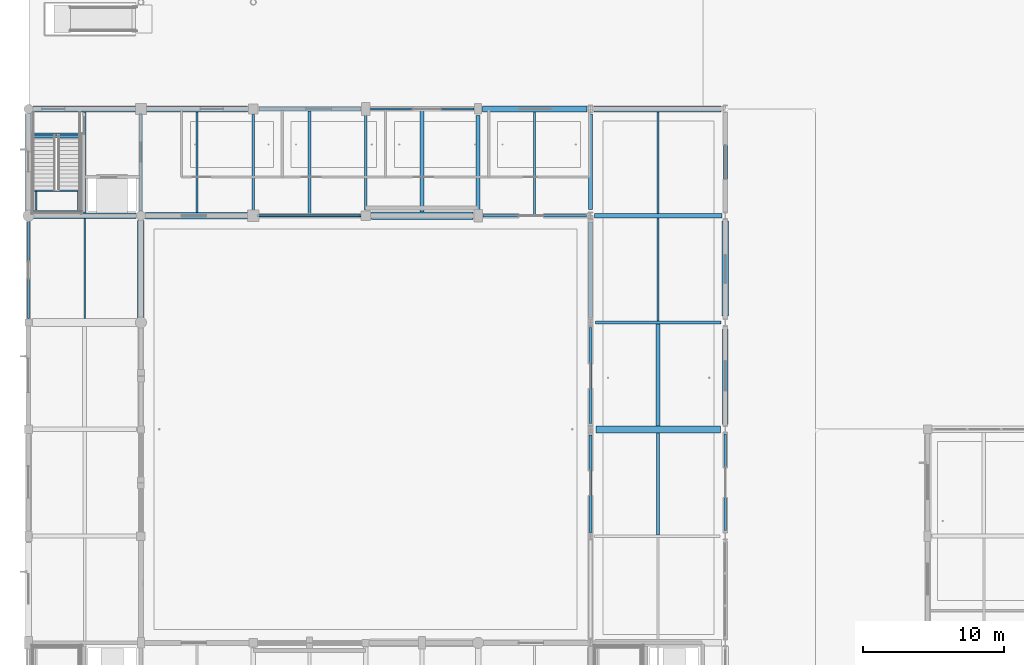
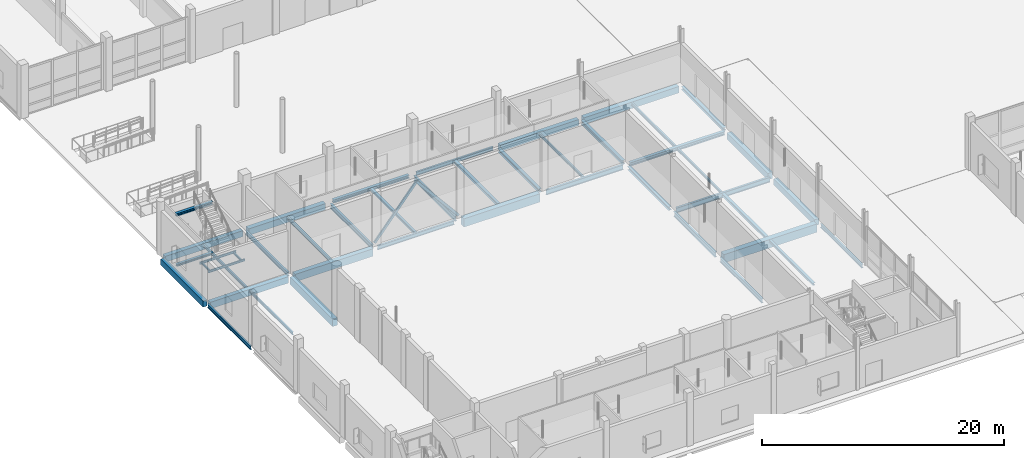
# One storey, part 13 of 126: 45 beams, 2 members.
"""IFC4 building model written with IfcOpenShell, lengths in metres."""

from ifc_helpers import new_model, si_unit, direction, frame, origin, origin_2d, place, context, subcontext, project, spatial, rectangle, hollow_rectangle, i_section, extrude, material, material_profile, profile_set, type_object, element, save


model = new_model("IFC4")

# Units and contexts
model_context = context("Model", 3, precision=1e-05, world=origin(), true_north=direction((0.0, 1.0)))
body_context = subcontext(model_context, "Body", "Model", "MODEL_VIEW")
ifc_project = project(units=[si_unit("LENGTHUNIT", "METRE"), si_unit("AREAUNIT", "SQUARE_METRE"), si_unit("VOLUMEUNIT", "CUBIC_METRE"), si_unit("PLANEANGLEUNIT", "RADIAN"), si_unit("MASSUNIT", "GRAM", prefix="KILO")], contexts=[model_context])

# Site, building, storey
site_placement = place(None, origin())
site = spatial("IfcSite", under=ifc_project, at=site_placement, CompositionType="ELEMENT")
building_placement = place(site_placement, origin())
building = spatial("IfcBuilding", under=site, at=building_placement, Name="Khelvaren Railside Concert Hall", CompositionType="ELEMENT")
storey_placement = place(building_placement, origin())
storey = spatial("IfcBuildingStorey", under=building, at=storey_placement, Name="L00", CompositionType="ELEMENT", Elevation=0.0)

# Beams
ifc_material_1 = material(Name="Steel S355", Category="steel")
ifc_material_profile_1 = material_profile(ifc_material_1, i_section(OverallWidth=0.300048828125, OverallDepth=0.389892578125, WebThickness=0.010986328125, FlangeThickness=0.01904296875, FilletRadius=0.027099609375, at=origin_2d()), Name="HEA 400")
ifc_profile_set_1 = profile_set([ifc_material_profile_1], Name="Steel S355")
beam_type_1 = type_object("IfcBeamType", Name="BM23", PredefinedType="BEAM", material=ifc_profile_set_1)
beam_1_placement = place(storey_placement, frame((40.0, 38.449951171875, -0.514892578125), z_axis=(0.0, 1.0, 0.0), x_axis=(-1.0, 0.0, 0.0)))
element("IfcBeam", 1, at=beam_1_placement, inside=storey, type_object=beam_type_1, Name="V1 L00 Beam Y6.6", PredefinedType="BEAM", context=body_context, shape_type="SweptSolid", body=[
    extrude(i_section(OverallWidth=0.300048828125, OverallDepth=0.389892578125, WebThickness=0.010986328125, FlangeThickness=0.01904296875, FilletRadius=0.027099609375, at=origin_2d()), origin(), (0.0, 0.0, 1.0), 6.775146484375),
])
ifc_material_profile_2 = material_profile(ifc_material_1, i_section(OverallWidth=0.179931640625, OverallDepth=0.39990234375, WebThickness=0.008544921875, FlangeThickness=0.013427734375, FilletRadius=0.02099609375, at=origin_2d()), Name="IPE 400")
ifc_profile_set_2 = profile_set([ifc_material_profile_2], Name="Steel S355")
beam_type_2 = type_object("IfcBeamType", Name="BM29", PredefinedType="BEAM", material=ifc_profile_set_2)
beam_2_placement = place(storey_placement, frame((16.27294921875, 38.0, -0.52001953125), z_axis=(1.0, 0.0, 0.0), x_axis=(0.0, 1.0, 0.0)))
element("IfcBeam", 2, at=beam_2_placement, inside=storey, type_object=beam_type_2, Name="V1 L00 Beam X6.3", PredefinedType="BEAM", context=body_context, shape_type="SweptSolid", body=[
    extrude(i_section(OverallWidth=0.179931640625, OverallDepth=0.39990234375, WebThickness=0.008544921875, FlangeThickness=0.013427734375, FilletRadius=0.02099609375, at=origin_2d()), origin(), (0.0, 0.0, 1.0), 7.3271484375),
])
beam_3_placement = place(storey_placement, frame((8.0, 38.3359375, -0.52001953125), z_axis=(0.0, 1.0, 0.0), x_axis=(-1.0, 0.0, 0.0)))
element("IfcBeam", 3, at=beam_3_placement, inside=storey, type_object=beam_type_2, Name="V1 L00 Beam Y2.6", PredefinedType="BEAM", context=body_context, shape_type="SweptSolid", body=[
    extrude(i_section(OverallWidth=0.179931640625, OverallDepth=0.39990234375, WebThickness=0.008544921875, FlangeThickness=0.013427734375, FilletRadius=0.02099609375, at=origin_2d()), origin(), (0.0, 0.0, 1.0), 6.990966796875),
])
ifc_material_2 = material(Name="Concrete C40/50", Category="concrete")
ifc_material_profile_3 = material_profile(ifc_material_2, rectangle(XDim=0.39990234375, YDim=0.64990234375, at=origin_2d()), Name="RCB 400x650")
ifc_profile_set_3 = profile_set([ifc_material_profile_3], Name="Concrete C40/50")
beam_type_3 = type_object("IfcBeamType", Name="BM33", PredefinedType="BEAM", material=ifc_profile_set_3)
beam_4_placement = place(storey_placement, frame((0.25, 38.0, -0.64501953125), z_axis=(1.0, 0.0, 0.0), x_axis=(0.0, 1.0, 0.0)))
element("IfcBeam", 4, at=beam_4_placement, inside=storey, type_object=beam_type_3, Name="V1 L00 Beam X6.1", PredefinedType="BEAM", context=body_context, shape_type="SweptSolid", body=[
    extrude(rectangle(XDim=0.39990234375, YDim=0.64990234375, at=origin_2d()), origin(), (0.0, 0.0, 1.0), 7.4140625),
])
ifc_material_profile_4 = material_profile(ifc_material_1, i_section(OverallWidth=0.239990234375, OverallDepth=0.22998046875, WebThickness=0.007568359375, FlangeThickness=0.011962890625, FilletRadius=0.02099609375, at=origin_2d()), Name="HEA 240")
ifc_profile_set_4 = profile_set([ifc_material_profile_4], Name="Steel S355")
beam_type_4 = type_object("IfcBeamType", Name="BM42", PredefinedType="BEAM", material=ifc_profile_set_4)
beam_5_placement = place(storey_placement, frame((0.344970703125, 43.63916015625, -0.114990234375), z_axis=(1.0, 0.0, 0.0), x_axis=(0.0, 1.0, 0.0)))
element("IfcBeam", 5, at=beam_5_placement, inside=storey, type_object=beam_type_4, Name="ST-11 L00 Stair Foot Trimmer Beam", PredefinedType="BEAM", context=body_context, shape_type="SweptSolid", body=[
    extrude(i_section(OverallWidth=0.239990234375, OverallDepth=0.22998046875, WebThickness=0.007568359375, FlangeThickness=0.011962890625, FilletRadius=0.02099609375, at=origin_2d()), origin(), (0.0, 0.0, 1.0), 3.4951171875),
])
ifc_material_profile_5 = material_profile(ifc_material_1, i_section(OverallWidth=0.199951171875, OverallDepth=0.5, WebThickness=0.01025390625, FlangeThickness=0.01611328125, FilletRadius=0.02099609375, at=origin_2d()), Name="IPE 500")
ifc_profile_set_5 = profile_set([ifc_material_profile_5], Name="Steel S355")
beam_type_5 = type_object("IfcBeamType", Name="BM62", PredefinedType="BEAM", material=ifc_profile_set_5)
beam_6_placement = place(storey_placement, frame((40.35009765625, 30.39990234375, -0.570068359375), z_axis=(1.0, 0.0, 0.0), x_axis=(0.0, 1.0, 0.0)))
element("IfcBeam", 6, at=beam_6_placement, inside=storey, type_object=beam_type_5, Name="V1 L00 Beam X5.6", PredefinedType="BEAM", context=body_context, shape_type="SweptSolid", body=[
    extrude(i_section(OverallWidth=0.199951171875, OverallDepth=0.5, WebThickness=0.01025390625, FlangeThickness=0.01611328125, FilletRadius=0.02099609375, at=origin_2d()), origin(), (0.0, 0.0, 1.0), 8.949951171875),
])
beam_7_placement = place(storey_placement, frame((32.35009765625, 38.0, -0.570068359375), z_axis=(1.0, 0.0, 0.0), x_axis=(0.0, 1.0, 0.0)))
element("IfcBeam", 7, at=beam_7_placement, inside=storey, type_object=beam_type_5, Name="V1 L00 Beam X6.5", PredefinedType="BEAM", context=body_context, shape_type="SweptSolid", body=[
    extrude(i_section(OverallWidth=0.199951171875, OverallDepth=0.5, WebThickness=0.01025390625, FlangeThickness=0.01611328125, FilletRadius=0.02099609375, at=origin_2d()), origin(), (0.0, 0.0, 1.0), 7.349853515625),
])
for number, where, z_axis, x_axis, name in (
    (8, (24.0, 38.39990234375, -0.570068359375), (0.0, 1.0, 0.0), (-1.0, 0.0, 0.0), "V1 L00 Beam Y4.6"),
    (9, (40.0, 23.199951171875, -0.570068359375), (0.0, 1.0, 0.0), (-1.0, 0.0, 0.0), "V1 L00 Beam Y6.4"),
):
    element("IfcBeam", number, at=place(storey_placement, frame(where, z_axis=z_axis, x_axis=x_axis)), inside=storey, type_object=beam_type_5, Name=name, PredefinedType="BEAM", context=body_context, shape_type="SweptSolid", body=[
        extrude(i_section(OverallWidth=0.199951171875, OverallDepth=0.5, WebThickness=0.01025390625, FlangeThickness=0.01611328125, FilletRadius=0.02099609375, at=origin_2d()), origin(), (0.0, 0.0, 1.0), 6.85009765625),
    ])
ifc_material_profile_6 = material_profile(ifc_material_1, i_section(OverallWidth=0.300048828125, OverallDepth=0.35009765625, WebThickness=0.010009765625, FlangeThickness=0.017578125, FilletRadius=0.027099609375, at=origin_2d()), Name="HEA 360")
ifc_profile_set_6 = profile_set([ifc_material_profile_6], Name="Steel S355")
beam_type_6 = type_object("IfcBeamType", Name="BM73", PredefinedType="BEAM", material=ifc_profile_set_6)
beam_8_placement = place(storey_placement, frame((40.300048828125, 38.0, -0.4951171875), z_axis=(1.0, 0.0, 0.0), x_axis=(0.0, 1.0, 0.0)))
element("IfcBeam", 10, at=beam_8_placement, inside=storey, type_object=beam_type_6, Name="V1 L00 Beam X6.6", PredefinedType="BEAM", context=body_context, shape_type="SweptSolid", body=[
    extrude(i_section(OverallWidth=0.300048828125, OverallDepth=0.35009765625, WebThickness=0.010009765625, FlangeThickness=0.017578125, FilletRadius=0.027099609375, at=origin_2d()), origin(), (0.0, 0.0, 1.0), 9.050048828125),
])
beam_9_placement = place(storey_placement, frame((32.0, 38.35009765625, -0.4951171875), z_axis=(0.0, 1.0, 0.0), x_axis=(-1.0, 0.0, 0.0)))
element("IfcBeam", 11, at=beam_9_placement, inside=storey, type_object=beam_type_6, Name="V1 L00 Beam Y5.6", PredefinedType="BEAM", context=body_context, shape_type="SweptSolid", body=[
    extrude(i_section(OverallWidth=0.300048828125, OverallDepth=0.35009765625, WebThickness=0.010009765625, FlangeThickness=0.017578125, FilletRadius=0.027099609375, at=origin_2d()), origin(), (0.0, 0.0, 1.0), 6.7998046875),
])
beam_10_placement = place(storey_placement, frame((40.0, 30.75, -0.4951171875), z_axis=(0.0, 1.0, 0.0), x_axis=(-1.0, 0.0, 0.0)))
element("IfcBeam", 12, at=beam_10_placement, inside=storey, type_object=beam_type_6, Name="V1 L00 Beam Y6.5", PredefinedType="BEAM", context=body_context, shape_type="SweptSolid", body=[
    extrude(i_section(OverallWidth=0.300048828125, OverallDepth=0.35009765625, WebThickness=0.010009765625, FlangeThickness=0.017578125, FilletRadius=0.027099609375, at=origin_2d()), origin(), (0.0, 0.0, 1.0), 6.800048828125),
])
ifc_material_profile_7 = material_profile(ifc_material_2, rectangle(XDim=0.449951171875, YDim=0.75, at=origin_2d()), Name="RCB 450x750")
ifc_profile_set_7 = profile_set([ifc_material_profile_7], Name="Concrete C40/50")
beam_type_7 = type_object("IfcBeamType", Name="BM83", PredefinedType="BEAM", material=ifc_profile_set_7)
beam_11_placement = place(storey_placement, frame((8.3359375, 38.0, -0.695068359375), z_axis=(1.0, 0.0, 0.0), x_axis=(0.0, 1.0, 0.0)))
element("IfcBeam", 13, at=beam_11_placement, inside=storey, type_object=beam_type_7, Name="V1 L00 Beam X6.2", PredefinedType="BEAM", context=body_context, shape_type="SweptSolid", body=[
    extrude(rectangle(XDim=0.449951171875, YDim=0.75, at=origin_2d()), origin(), (0.0, 0.0, 1.0), 7.39111328125),
])
beam_12_placement = place(storey_placement, frame((8.0, 30.64990234375, -0.695068359375), z_axis=(0.0, 1.0, 0.0), x_axis=(-1.0, 0.0, 0.0)))
element("IfcBeam", 14, at=beam_12_placement, inside=storey, type_object=beam_type_7, Name="V1 L00 Beam Y2.5", PredefinedType="BEAM", context=body_context, shape_type="SweptSolid", body=[
    extrude(rectangle(XDim=0.449951171875, YDim=0.75, at=origin_2d()), origin(), (0.0, 0.0, 1.0), 7.01416015625),
])
ifc_material_profile_8 = material_profile(ifc_material_1, i_section(OverallWidth=0.110107421875, OverallDepth=0.219970703125, WebThickness=0.005859375, FlangeThickness=0.00927734375, FilletRadius=0.011962890625, at=origin_2d()), Name="IPE 220")
ifc_profile_set_8 = profile_set([ifc_material_profile_8], Name="Steel S355")
beam_type_8 = type_object("IfcBeamType", Name="BM87", PredefinedType="BEAM", material=ifc_profile_set_8)
for number, where, z_axis, x_axis, name in (
    (15, (0.344970703125, 39.77490234375, 2.389892578125), (1.0, 0.0, 0.0), (0.0, 1.0, 0.0), "ST-11 L00 Half-Landing Front Beam"),
    (16, (0.344970703125, 38.360107421875, 2.389892578125), (1.0, 0.0, 0.0), (0.0, 1.0, 0.0), "ST-11 L00 Half-Landing Rear Beam"),
):
    element("IfcBeam", number, at=place(storey_placement, frame(where, z_axis=z_axis, x_axis=x_axis)), inside=storey, type_object=beam_type_8, Name=name, PredefinedType="BEAM", context=body_context, shape_type="SweptSolid", body=[
        extrude(i_section(OverallWidth=0.110107421875, OverallDepth=0.219970703125, WebThickness=0.005859375, FlangeThickness=0.00927734375, FilletRadius=0.011962890625, at=origin_2d()), origin(), (0.0, 0.0, 1.0), 3.4951171875),
    ])
for number, where, z_axis, x_axis, name in (
    (17, (0.550048828125, 38.4150390625, 2.389892578125), (0.0, 1.0, 0.0), (-1.0, 0.0, 0.0), "ST-11 L00 Half-Landing Side Tie W"),
    (18, (3.550048828125, 38.4150390625, 2.389892578125), (0.0, 1.0, 0.0), (-1.0, 0.0, 0.0), "ST-11 L00 Half-Landing Side Tie E"),
):
    element("IfcBeam", number, at=place(storey_placement, frame(where, z_axis=z_axis, x_axis=x_axis)), inside=storey, type_object=beam_type_8, Name=name, PredefinedType="BEAM", context=body_context, shape_type="SweptSolid", body=[
        extrude(i_section(OverallWidth=0.110107421875, OverallDepth=0.219970703125, WebThickness=0.005859375, FlangeThickness=0.00927734375, FilletRadius=0.011962890625, at=origin_2d()), origin(), (0.0, 0.0, 1.0), 1.304931640625),
    ])
ifc_material_profile_9 = material_profile(ifc_material_1, i_section(OverallWidth=0.280029296875, OverallDepth=0.27001953125, WebThickness=0.008056640625, FlangeThickness=0.012939453125, FilletRadius=0.02392578125, at=origin_2d()), Name="HEA 280")
ifc_profile_set_9 = profile_set([ifc_material_profile_9], Name="Steel S355")
beam_type_9 = type_object("IfcBeamType", Name="BM93", PredefinedType="BEAM", material=ifc_profile_set_9)
beam_13_placement = place(storey_placement, frame((0.344970703125, 43.739990234375, 4.90673828125), z_axis=(1.0, 0.0, 0.0), x_axis=(0.0, 1.0, 0.0)))
element("IfcBeam", 19, at=beam_13_placement, inside=storey, type_object=beam_type_9, Name="ST-11 L00 Stair Top Arrival Trimmer Beam", PredefinedType="BEAM", context=body_context, shape_type="SweptSolid", body=[
    extrude(i_section(OverallWidth=0.280029296875, OverallDepth=0.27001953125, WebThickness=0.008056640625, FlangeThickness=0.012939453125, FilletRadius=0.02392578125, at=origin_2d()), origin(), (0.0, 0.0, 1.0), 3.4951171875),
])
ifc_material_profile_10 = material_profile(ifc_material_1, i_section(OverallWidth=0.18994140625, OverallDepth=0.449951171875, WebThickness=0.009521484375, FlangeThickness=0.0146484375, FilletRadius=0.02099609375, at=origin_2d()), Name="IPE 450")
ifc_profile_set_10 = profile_set([ifc_material_profile_10], Name="Steel S355")
beam_type_10 = type_object("IfcBeamType", Name="BM95", PredefinedType="BEAM", material=ifc_profile_set_10)
for number, where, z_axis, x_axis, name in (
    (20, (16.0, 38.27294921875, -0.544921875), (0.0, 1.0, 0.0), (-1.0, 0.0, 0.0), "V1 L00 Beam Y3.6"),
    (21, (40.0, 15.472900390625, -0.544921875), (0.0, 1.0, 0.0), (-1.0, 0.0, 0.0), "V1 L00 Beam Y6.3"),
):
    element("IfcBeam", number, at=place(storey_placement, frame(where, z_axis=z_axis, x_axis=x_axis)), inside=storey, type_object=beam_type_10, Name=name, PredefinedType="BEAM", context=body_context, shape_type="SweptSolid", body=[
        extrude(i_section(OverallWidth=0.18994140625, OverallDepth=0.449951171875, WebThickness=0.009521484375, FlangeThickness=0.0146484375, FilletRadius=0.02099609375, at=origin_2d()), origin(), (0.0, 0.0, 1.0), 6.927001953125),
    ])

# Members
ifc_material_profile_11 = material_profile(ifc_material_1, hollow_rectangle(XDim=0.14990234375, YDim=0.25, WallThickness=0.012451171875, InnerFilletRadius=0.012451171875, OuterFilletRadius=0.01904296875, at=origin_2d()), Name="RHS 250x150x12.5")
ifc_profile_set_11 = profile_set([ifc_material_profile_11], Name="Steel S355")
member_type = type_object("IfcMemberType", Name="BR52", PredefinedType="BRACE", material=ifc_profile_set_11)
for number, where, z_axis, x_axis, name in (
    (22, (16.0, 38.0, 0.050048828125), (0.640180556359, 0.0, 0.768224482335), (0.0, 1.0, 0.0), "V1 L00 Seismic Chevron Brace 31"),
    (23, (24.0, 38.0, 0.050048828125), (-0.640180556359, 0.0, 0.768224482335), (0.0, -1.0, 0.0), "V1 L00 Seismic Chevron Brace 32"),
):
    element("IfcMember", number, at=place(storey_placement, frame(where, z_axis=z_axis, x_axis=x_axis)), inside=storey, type_object=member_type, Name=name, PredefinedType="BRACE", context=body_context, shape_type="SweptSolid", body=[
        extrude(hollow_rectangle(XDim=0.14990234375, YDim=0.25, WallThickness=0.012451171875, InnerFilletRadius=0.012451171875, OuterFilletRadius=0.01904296875, at=origin_2d()), origin(), (0.0, 0.0, 1.0), 6.248291015625),
    ])

# Beams
ifc_material_profile_12 = material_profile(ifc_material_2, rectangle(XDim=0.5, YDim=0.85009765625, at=origin_2d()), Name="RCB 500x850")
ifc_profile_set_12 = profile_set([ifc_material_profile_12], Name="Concrete C40/50")
beam_type_11 = type_object("IfcBeamType", Name="GR96", PredefinedType="T_BEAM", material=ifc_profile_set_12)
beam_14_placement = place(storey_placement, frame((40.39990234375, 22.800048828125, -0.7451171875), z_axis=(1.0, 0.0, 0.0), x_axis=(0.0, 1.0, 0.0)))
element("IfcBeam", 24, at=beam_14_placement, inside=storey, type_object=beam_type_11, Name="V1 L00 T_Beam X4.6", PredefinedType="T_BEAM", context=body_context, shape_type="SweptSolid", body=[
    extrude(rectangle(XDim=0.5, YDim=0.85009765625, at=origin_2d()), origin(), (0.0, 0.0, 1.0), 8.85009765625),
])
beam_15_placement = place(storey_placement, frame((24.39990234375, 38.0, -0.7451171875), z_axis=(1.0, 0.0, 0.0), x_axis=(0.0, 1.0, 0.0)))
element("IfcBeam", 25, at=beam_15_placement, inside=storey, type_object=beam_type_11, Name="V1 L00 T_Beam X6.4", PredefinedType="T_BEAM", context=body_context, shape_type="SweptSolid", body=[
    extrude(rectangle(XDim=0.5, YDim=0.85009765625, at=origin_2d()), origin(), (0.0, 0.0, 1.0), 7.25),
])
ifc_material_profile_13 = material_profile(ifc_material_1, i_section(OverallWidth=0.14990234375, OverallDepth=0.300048828125, WebThickness=0.007080078125, FlangeThickness=0.0107421875, FilletRadius=0.014892578125, at=origin_2d()), Name="IPE 300")
ifc_profile_set_13 = profile_set([ifc_material_profile_13], Name="Steel S355")
beam_type_12 = type_object("IfcBeamType", Name="JS26", PredefinedType="JOIST", material=ifc_profile_set_13)
beam_16_placement = place(storey_placement, frame((4.0, 38.199951171875, -0.469970703125), z_axis=(0.0, 1.0, 0.0), x_axis=(-1.0, 0.0, 0.0)))
element("IfcBeam", 26, at=beam_16_placement, inside=storey, type_object=beam_type_12, Name="V1 L00 Secondary Joist 1.6", PredefinedType="JOIST", context=body_context, shape_type="SweptSolid", body=[
    extrude(i_section(OverallWidth=0.14990234375, OverallDepth=0.300048828125, WebThickness=0.007080078125, FlangeThickness=0.0107421875, FilletRadius=0.014892578125, at=origin_2d()), origin(), (0.0, 0.0, 1.0), 7.199951171875),
])
beam_17_placement = place(storey_placement, frame((44.800048828125, 38.14990234375, -0.469970703125), z_axis=(0.0, 1.0, 0.0), x_axis=(-1.0, 0.0, 0.0)))
element("IfcBeam", 27, at=beam_17_placement, inside=storey, type_object=beam_type_12, Name="V1 L00 Secondary Joist 6.6", PredefinedType="JOIST", context=body_context, shape_type="SweptSolid", body=[
    extrude(i_section(OverallWidth=0.14990234375, OverallDepth=0.300048828125, WebThickness=0.007080078125, FlangeThickness=0.0107421875, FilletRadius=0.014892578125, at=origin_2d()), origin(), (0.0, 0.0, 1.0), 7.22509765625),
])
ifc_material_profile_14 = material_profile(ifc_material_1, i_section(OverallWidth=0.280029296875, OverallDepth=0.27001953125, WebThickness=0.008056640625, FlangeThickness=0.012939453125, FilletRadius=0.02392578125, at=origin_2d()), Name="HEA 280")
ifc_profile_set_14 = profile_set([ifc_material_profile_14], Name="Steel S355")
beam_type_13 = type_object("IfcBeamType", Name="JS46", PredefinedType="JOIST", material=ifc_profile_set_14)
beam_18_placement = place(storey_placement, frame((28.0, 38.25, -0.455078125), z_axis=(0.0, 1.0, 0.0), x_axis=(-1.0, 0.0, 0.0)))
element("IfcBeam", 28, at=beam_18_placement, inside=storey, type_object=beam_type_13, Name="V1 L00 Secondary Joist 4.6", PredefinedType="JOIST", context=body_context, shape_type="SweptSolid", body=[
    extrude(i_section(OverallWidth=0.280029296875, OverallDepth=0.27001953125, WebThickness=0.008056640625, FlangeThickness=0.012939453125, FilletRadius=0.02392578125, at=origin_2d()), origin(), (0.0, 0.0, 1.0), 7.264892578125),
])
beam_19_placement = place(storey_placement, frame((44.800048828125, 23.050048828125, -0.455078125), z_axis=(0.0, 1.0, 0.0), x_axis=(-1.0, 0.0, 0.0)))
element("IfcBeam", 29, at=beam_19_placement, inside=storey, type_object=beam_type_13, Name="V1 L00 Secondary Joist 6.4", PredefinedType="JOIST", context=body_context, shape_type="SweptSolid", body=[
    extrude(i_section(OverallWidth=0.280029296875, OverallDepth=0.27001953125, WebThickness=0.008056640625, FlangeThickness=0.012939453125, FilletRadius=0.02392578125, at=origin_2d()), origin(), (0.0, 0.0, 1.0), 7.25),
])
ifc_material_profile_15 = material_profile(ifc_material_1, i_section(OverallWidth=0.159912109375, OverallDepth=0.330078125, WebThickness=0.007568359375, FlangeThickness=0.011474609375, FilletRadius=0.01806640625, at=origin_2d()), Name="IPE 330")
ifc_profile_set_15 = profile_set([ifc_material_profile_15], Name="Steel S355")
beam_type_14 = type_object("IfcBeamType", Name="JS65", PredefinedType="JOIST", material=ifc_profile_set_15)
beam_20_placement = place(storey_placement, frame((12.0, 38.22509765625, -0.485107421875), z_axis=(0.0, 1.0, 0.0), x_axis=(-1.0, 0.0, 0.0)))
element("IfcBeam", 30, at=beam_20_placement, inside=storey, type_object=beam_type_14, Name="V1 L00 Secondary Joist 2.6", PredefinedType="JOIST", context=body_context, shape_type="SweptSolid", body=[
    extrude(i_section(OverallWidth=0.159912109375, OverallDepth=0.330078125, WebThickness=0.007568359375, FlangeThickness=0.011474609375, FilletRadius=0.01806640625, at=origin_2d()), origin(), (0.0, 0.0, 1.0), 7.14990234375),
])
ifc_material_profile_16 = material_profile(ifc_material_1, i_section(OverallWidth=0.239990234375, OverallDepth=0.22998046875, WebThickness=0.007568359375, FlangeThickness=0.011962890625, FilletRadius=0.02099609375, at=origin_2d()), Name="HEA 240")
ifc_profile_set_16 = profile_set([ifc_material_profile_16], Name="Steel S355")
beam_type_15 = type_object("IfcBeamType", Name="JS76", PredefinedType="JOIST", material=ifc_profile_set_16)
beam_21_placement = place(storey_placement, frame((20.0, 38.090087890625, -0.43505859375), z_axis=(0.0, 1.0, 0.0), x_axis=(-1.0, 0.0, 0.0)))
element("IfcBeam", 31, at=beam_21_placement, inside=storey, type_object=beam_type_15, Name="V1 L00 Secondary Joist 3.6", PredefinedType="JOIST", context=body_context, shape_type="SweptSolid", body=[
    extrude(i_section(OverallWidth=0.239990234375, OverallDepth=0.22998046875, WebThickness=0.007568359375, FlangeThickness=0.011962890625, FilletRadius=0.02099609375, at=origin_2d()), origin(), (0.0, 0.0, 1.0), 7.35986328125),
])
beam_22_placement = place(storey_placement, frame((44.800048828125, 15.2900390625, -0.43505859375), z_axis=(0.0, 1.0, 0.0), x_axis=(-1.0, 0.0, 0.0)))
element("IfcBeam", 32, at=beam_22_placement, inside=storey, type_object=beam_type_15, Name="V1 L00 Secondary Joist 6.3", PredefinedType="JOIST", context=body_context, shape_type="SweptSolid", body=[
    extrude(i_section(OverallWidth=0.239990234375, OverallDepth=0.22998046875, WebThickness=0.007568359375, FlangeThickness=0.011962890625, FilletRadius=0.02099609375, at=origin_2d()), origin(), (0.0, 0.0, 1.0), 7.260009765625),
])
ifc_material_profile_17 = material_profile(ifc_material_1, i_section(OverallWidth=0.135009765625, OverallDepth=0.27001953125, WebThickness=0.006591796875, FlangeThickness=0.01025390625, FilletRadius=0.014892578125, at=origin_2d()), Name="IPE 270")
ifc_profile_set_17 = profile_set([ifc_material_profile_17], Name="Steel S355")
beam_type_16 = type_object("IfcBeamType", Name="JS78", PredefinedType="JOIST", material=ifc_profile_set_17)
beam_23_placement = place(storey_placement, frame((4.0, 30.675048828125, -0.455078125), z_axis=(0.0, 1.0, 0.0), x_axis=(-1.0, 0.0, 0.0)))
element("IfcBeam", 33, at=beam_23_placement, inside=storey, type_object=beam_type_16, Name="V1 L00 Secondary Joist 1.5", PredefinedType="JOIST", context=body_context, shape_type="SweptSolid", body=[
    extrude(i_section(OverallWidth=0.135009765625, OverallDepth=0.27001953125, WebThickness=0.006591796875, FlangeThickness=0.01025390625, FilletRadius=0.014892578125, at=origin_2d()), origin(), (0.0, 0.0, 1.0), 7.125),
])
beam_24_placement = place(storey_placement, frame((36.0, 38.10009765625, -0.455078125), z_axis=(0.0, 1.0, 0.0), x_axis=(-1.0, 0.0, 0.0)))
element("IfcBeam", 34, at=beam_24_placement, inside=storey, type_object=beam_type_16, Name="V1 L00 Secondary Joist 5.6", PredefinedType="JOIST", context=body_context, shape_type="SweptSolid", body=[
    extrude(i_section(OverallWidth=0.135009765625, OverallDepth=0.27001953125, WebThickness=0.006591796875, FlangeThickness=0.01025390625, FilletRadius=0.014892578125, at=origin_2d()), origin(), (0.0, 0.0, 1.0), 7.2998046875),
])
beam_25_placement = place(storey_placement, frame((44.800048828125, 30.5, -0.455078125), z_axis=(0.0, 1.0, 0.0), x_axis=(-1.0, 0.0, 0.0)))
element("IfcBeam", 35, at=beam_25_placement, inside=storey, type_object=beam_type_16, Name="V1 L00 Secondary Joist 6.5", PredefinedType="JOIST", context=body_context, shape_type="SweptSolid", body=[
    extrude(i_section(OverallWidth=0.135009765625, OverallDepth=0.27001953125, WebThickness=0.006591796875, FlangeThickness=0.01025390625, FilletRadius=0.014892578125, at=origin_2d()), origin(), (0.0, 0.0, 1.0), 7.35009765625),
])
ifc_material_profile_18 = material_profile(ifc_material_2, rectangle(XDim=0.449951171875, YDim=0.64990234375, at=origin_2d()), Name="RCB 450x650")
ifc_profile_set_18 = profile_set([ifc_material_profile_18], Name="Concrete C40/50")
beam_type_17 = type_object("IfcBeamType", Name="SP34", PredefinedType="SPANDREL", material=ifc_profile_set_18)
beam_26_placement = place(storey_placement, frame((8.27294921875, 45.60009765625, -0.64501953125), z_axis=(1.0, 0.0, 0.0), x_axis=(0.0, 1.0, 0.0)))
element("IfcBeam", 36, at=beam_26_placement, inside=storey, type_object=beam_type_17, Name="V1 L00 Spandrel X7.2", PredefinedType="SPANDREL", context=body_context, shape_type="SweptSolid", body=[
    extrude(rectangle(XDim=0.449951171875, YDim=0.64990234375, at=origin_2d()), origin(), (0.0, 0.0, 1.0), 7.3271484375),
])
beam_27_placement = place(storey_placement, frame((40.25, 45.60009765625, -0.64501953125), z_axis=(1.0, 0.0, 0.0), x_axis=(0.0, 1.0, 0.0)))
element("IfcBeam", 37, at=beam_27_placement, inside=storey, type_object=beam_type_17, Name="V1 L00 Spandrel X7.6", PredefinedType="SPANDREL", context=body_context, shape_type="SweptSolid", body=[
    extrude(rectangle(XDim=0.449951171875, YDim=0.64990234375, at=origin_2d()), origin(), (0.0, 0.0, 1.0), 9.050048828125),
])
beam_28_placement = place(storey_placement, frame((49.60009765625, 30.85009765625, -0.64501953125), z_axis=(0.0, 1.0, 0.0), x_axis=(-1.0, 0.0, 0.0)))
element("IfcBeam", 38, at=beam_28_placement, inside=storey, type_object=beam_type_17, Name="V1 L00 Spandrel Y7.5", PredefinedType="SPANDREL", context=body_context, shape_type="SweptSolid", body=[
    extrude(rectangle(XDim=0.449951171875, YDim=0.64990234375, at=origin_2d()), origin(), (0.0, 0.0, 1.0), 6.77490234375),
])
ifc_material_profile_19 = material_profile(ifc_material_1, i_section(OverallWidth=0.300048828125, OverallDepth=0.31005859375, WebThickness=0.009033203125, FlangeThickness=0.015380859375, FilletRadius=0.027099609375, at=origin_2d()), Name="HEA 320")
ifc_profile_set_19 = profile_set([ifc_material_profile_19], Name="Steel S355")
beam_type_18 = type_object("IfcBeamType", Name="SP66", PredefinedType="SPANDREL", material=ifc_profile_set_19)
beam_29_placement = place(storey_placement, frame((16.39990234375, 45.60009765625, -0.47509765625), z_axis=(1.0, 0.0, 0.0), x_axis=(0.0, 1.0, 0.0)))
element("IfcBeam", 39, at=beam_29_placement, inside=storey, type_object=beam_type_18, Name="V1 L00 Spandrel X7.3", PredefinedType="SPANDREL", context=body_context, shape_type="SweptSolid", body=[
    extrude(i_section(OverallWidth=0.300048828125, OverallDepth=0.31005859375, WebThickness=0.009033203125, FlangeThickness=0.015380859375, FilletRadius=0.027099609375, at=origin_2d()), origin(), (0.0, 0.0, 1.0), 7.25),
])
beam_30_placement = place(storey_placement, frame((49.60009765625, 38.375, -0.47509765625), z_axis=(0.0, 1.0, 0.0), x_axis=(-1.0, 0.0, 0.0)))
element("IfcBeam", 40, at=beam_30_placement, inside=storey, type_object=beam_type_18, Name="V1 L00 Spandrel Y7.6", PredefinedType="SPANDREL", context=body_context, shape_type="SweptSolid", body=[
    extrude(i_section(OverallWidth=0.300048828125, OverallDepth=0.31005859375, WebThickness=0.009033203125, FlangeThickness=0.015380859375, FilletRadius=0.027099609375, at=origin_2d()), origin(), (0.0, 0.0, 1.0), 6.925048828125),
])
ifc_material_profile_20 = material_profile(ifc_material_1, i_section(OverallWidth=0.169921875, OverallDepth=0.360107421875, WebThickness=0.008056640625, FlangeThickness=0.0126953125, FilletRadius=0.01806640625, at=origin_2d()), Name="IPE 360")
ifc_profile_set_20 = profile_set([ifc_material_profile_20], Name="Steel S355")
beam_type_19 = type_object("IfcBeamType", Name="SP74", PredefinedType="SPANDREL", material=ifc_profile_set_20)
beam_31_placement = place(storey_placement, frame((24.35009765625, 45.60009765625, -0.5), z_axis=(1.0, 0.0, 0.0), x_axis=(0.0, 1.0, 0.0)))
element("IfcBeam", 41, at=beam_31_placement, inside=storey, type_object=beam_type_19, Name="V1 L00 Spandrel X7.4", PredefinedType="SPANDREL", context=body_context, shape_type="SweptSolid", body=[
    extrude(i_section(OverallWidth=0.169921875, OverallDepth=0.360107421875, WebThickness=0.008056640625, FlangeThickness=0.0126953125, FilletRadius=0.01806640625, at=origin_2d()), origin(), (0.0, 0.0, 1.0), 7.349853515625),
])
beam_32_placement = place(storey_placement, frame((0.0, 30.699951171875, -0.5), z_axis=(0.0, 1.0, 0.0), x_axis=(-1.0, 0.0, 0.0)))
element("IfcBeam", 42, at=beam_32_placement, inside=storey, type_object=beam_type_19, Name="V1 L00 Spandrel Y1.5", PredefinedType="SPANDREL", context=body_context, shape_type="SweptSolid", body=[
    extrude(i_section(OverallWidth=0.169921875, OverallDepth=0.360107421875, WebThickness=0.008056640625, FlangeThickness=0.0126953125, FilletRadius=0.01806640625, at=origin_2d()), origin(), (0.0, 0.0, 1.0), 7.050048828125),
])
beam_33_placement = place(storey_placement, frame((49.60009765625, 15.60009765625, -0.5), z_axis=(0.0, 1.0, 0.0), x_axis=(-1.0, 0.0, 0.0)))
element("IfcBeam", 43, at=beam_33_placement, inside=storey, type_object=beam_type_19, Name="V1 L00 Spandrel Y7.3", PredefinedType="SPANDREL", context=body_context, shape_type="SweptSolid", body=[
    extrude(i_section(OverallWidth=0.169921875, OverallDepth=0.360107421875, WebThickness=0.008056640625, FlangeThickness=0.0126953125, FilletRadius=0.01806640625, at=origin_2d()), origin(), (0.0, 0.0, 1.0), 6.849853515625),
])
ifc_material_profile_21 = material_profile(ifc_material_2, rectangle(XDim=0.39990234375, YDim=0.60009765625, at=origin_2d()), Name="RCB 400x600")
ifc_profile_set_21 = profile_set([ifc_material_profile_21], Name="Concrete C40/50")
beam_type_20 = type_object("IfcBeamType", Name="SP75", PredefinedType="SPANDREL", material=ifc_profile_set_21)
beam_34_placement = place(storey_placement, frame((0.3359375, 45.60009765625, -0.6201171875), z_axis=(1.0, 0.0, 0.0), x_axis=(0.0, 1.0, 0.0)))
element("IfcBeam", 44, at=beam_34_placement, inside=storey, type_object=beam_type_20, Name="V1 L00 Spandrel X7.1", PredefinedType="SPANDREL", context=body_context, shape_type="SweptSolid", body=[
    extrude(rectangle(XDim=0.39990234375, YDim=0.60009765625, at=origin_2d()), origin(), (0.0, 0.0, 1.0), 7.39111328125),
])
beam_35_placement = place(storey_placement, frame((32.300048828125, 45.60009765625, -0.6201171875), z_axis=(1.0, 0.0, 0.0), x_axis=(0.0, 1.0, 0.0)))
element("IfcBeam", 45, at=beam_35_placement, inside=storey, type_object=beam_type_20, Name="V1 L00 Spandrel X7.5", PredefinedType="SPANDREL", context=body_context, shape_type="SweptSolid", body=[
    extrude(rectangle(XDim=0.39990234375, YDim=0.60009765625, at=origin_2d()), origin(), (0.0, 0.0, 1.0), 7.449951171875),
])
beam_36_placement = place(storey_placement, frame((0.0, 38.25, -0.6201171875), z_axis=(0.0, 1.0, 0.0), x_axis=(-1.0, 0.0, 0.0)))
element("IfcBeam", 46, at=beam_36_placement, inside=storey, type_object=beam_type_20, Name="V1 L00 Spandrel Y1.6", PredefinedType="SPANDREL", context=body_context, shape_type="SweptSolid", body=[
    extrude(rectangle(XDim=0.39990234375, YDim=0.60009765625, at=origin_2d()), origin(), (0.0, 0.0, 1.0), 7.013916015625),
])
beam_37_placement = place(storey_placement, frame((49.60009765625, 23.14990234375, -0.6201171875), z_axis=(0.0, 1.0, 0.0), x_axis=(-1.0, 0.0, 0.0)))
element("IfcBeam", 47, at=beam_37_placement, inside=storey, type_object=beam_type_20, Name="V1 L00 Spandrel Y7.4", PredefinedType="SPANDREL", context=body_context, shape_type="SweptSolid", body=[
    extrude(rectangle(XDim=0.39990234375, YDim=0.60009765625, at=origin_2d()), origin(), (0.0, 0.0, 1.0), 6.800048828125),
])

save(model, "model.ifc")
